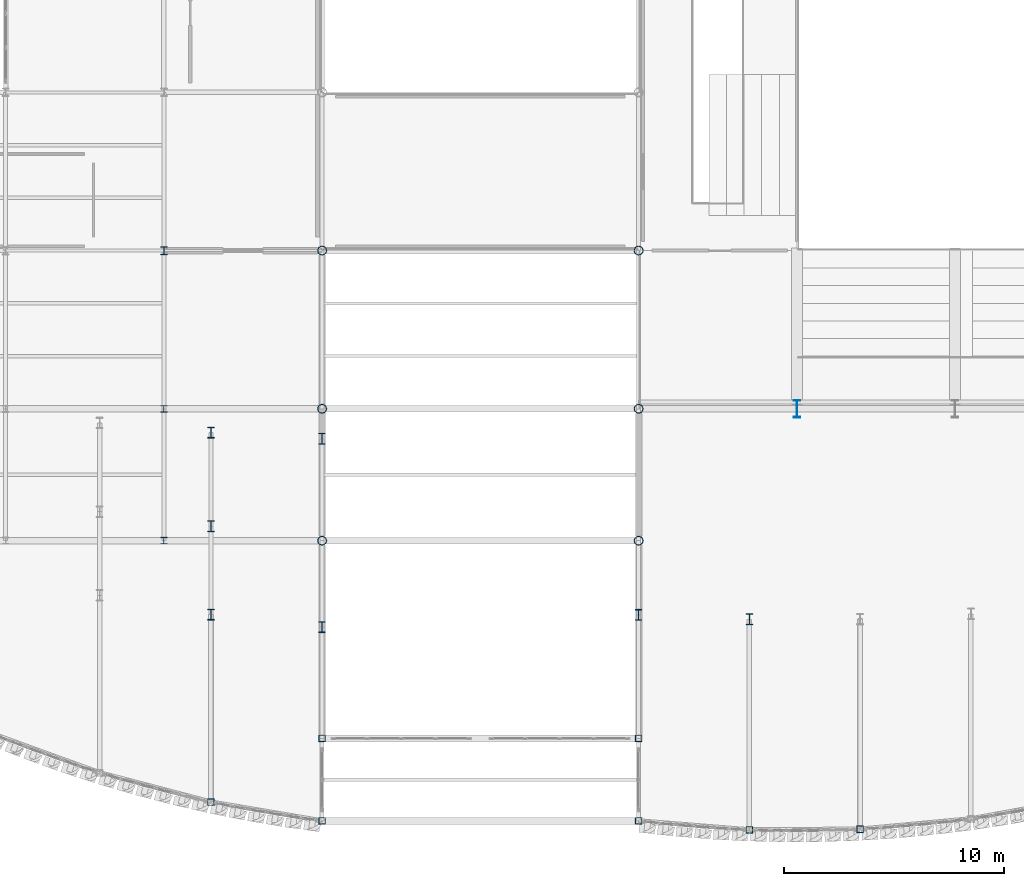
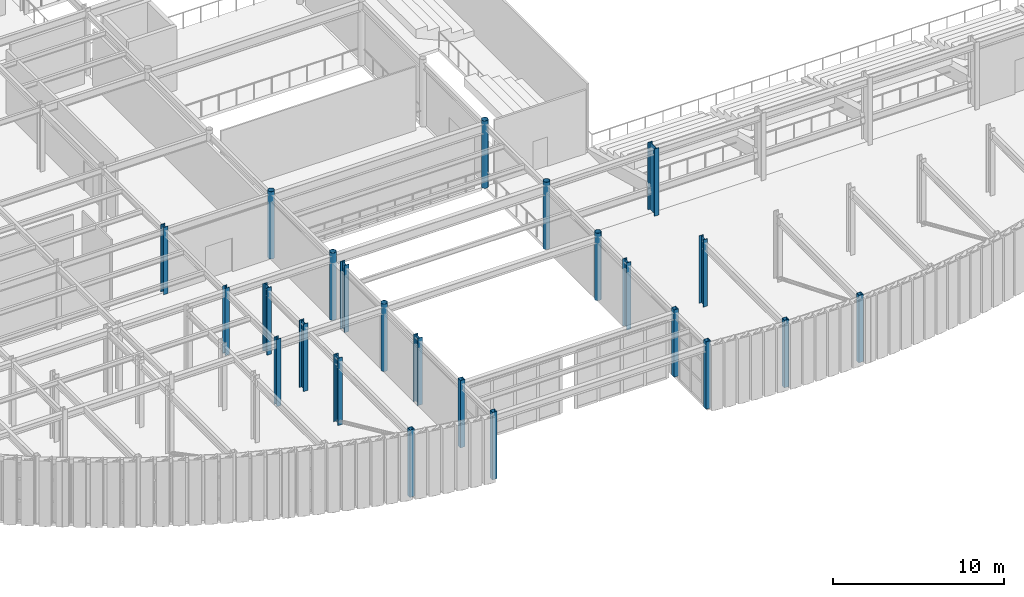
# One storey, part 4 of 121: 24 columns.
"""IFC4 building model written with IfcOpenShell, lengths in metres."""

from ifc_helpers import new_model, si_unit, direction, frame, origin, origin_2d, place, context, subcontext, project, spatial, hollow_rectangle, hollow_circle, i_section, extrude, material, material_profile, profile_set, type_object, element, save


model = new_model("IFC4")

# Units and contexts
model_context = context("Model", 3, precision=1e-05, world=origin(), true_north=direction((0.0, 1.0)))
body_context = subcontext(model_context, "Body", "Model", "MODEL_VIEW")
ifc_project = project(units=[si_unit("LENGTHUNIT", "METRE"), si_unit("AREAUNIT", "SQUARE_METRE"), si_unit("VOLUMEUNIT", "CUBIC_METRE"), si_unit("PLANEANGLEUNIT", "RADIAN"), si_unit("MASSUNIT", "GRAM", prefix="KILO")], contexts=[model_context])

# Site, building, storey
site_placement = place(None, origin())
site = spatial("IfcSite", under=ifc_project, at=site_placement, CompositionType="ELEMENT")
building_placement = place(site_placement, origin())
building = spatial("IfcBuilding", under=site, at=building_placement, Name="Solvadek Multi-Sports Hall", CompositionType="ELEMENT")
storey_placement = place(building_placement, frame((0.0, 0.0, 4.800048828125)))
storey = spatial("IfcBuildingStorey", under=building, at=storey_placement, Name="L01", CompositionType="ELEMENT", Elevation=4.800048828125)

# Columns
ifc_material = material(Name="Steel E350 (350 MPa)", Category="steel")
ifc_material_profile_1 = material_profile(ifc_material, hollow_circle(Radius=0.203125, WallThickness=0.01611328125, at=origin_2d()), Name="CHS 406.4x16")
ifc_profile_set_1 = profile_set([ifc_material_profile_1], Name="Steel E350 (350 MPa)")
column_type_1 = type_object("IfcColumnType", Name="STR-COL-CHS406", PredefinedType="COLUMN", material=ifc_profile_set_1)
for number, where, z_axis, x_axis, name in (
    (1, (72.0, 0.0, 0.0), (0.0, 0.0, 1.0), (1.0, 0.0, 0.0), "L01 Column C-11 #144"),
    (2, (72.0, 6.0, 0.0), (0.0, 0.0, 1.0), (1.0, 0.0, 0.0), "L01 Column C-11 #145"),
    (3, (72.0, 13.199951171875, 0.0), (0.0, 0.0, 1.0), (1.0, 0.0, 0.0), "L01 Column C-11 #146"),
    (4, (86.39990234375, 0.0, 0.0), (0.0, 0.0, 1.0), (1.0, 0.0, 0.0), "L01 Column C-11 #174"),
    (5, (86.39990234375, 6.0, 0.0), (0.0, 0.0, 1.0), (1.0, 0.0, 0.0), "L01 Column C-11 #175"),
    (6, (86.39990234375, 13.199951171875, 0.0), (0.0, 0.0, 1.0), (1.0, 0.0, 0.0), "L01 Column C-11 #176"),
):
    element("IfcColumn", number, at=place(storey_placement, frame(where, z_axis=z_axis, x_axis=x_axis)), inside=storey, type_object=column_type_1, Name=name, PredefinedType="COLUMN", context=body_context, shape_type="SweptSolid", body=[
        extrude(hollow_circle(Radius=0.203125, WallThickness=0.01611328125, at=origin_2d()), origin(), (0.0, 0.0, 1.0), 4.800048828125),
    ])
ifc_material_profile_2 = material_profile(ifc_material, hollow_rectangle(XDim=0.300048828125, YDim=0.300048828125, WallThickness=0.012451171875, at=origin_2d()), Name="SHS 300x300x12.5")
ifc_profile_set_2 = profile_set([ifc_material_profile_2], Name="Steel E350 (350 MPa)")
column_type_2 = type_object("IfcColumnType", Name="STR-COL-SHS300", PredefinedType="COLUMN", material=ifc_profile_set_2)
for number, where, z_axis, x_axis, name in (
    (7, (66.939453125, -11.893798828125, 0.0), (0.0, 0.0, 1.0), (1.0, 0.0, 0.0), "L01 Column C-10 #283"),
    (8, (72.0, -12.7529296875, 0.0), (0.0, 0.0, 1.0), (1.0, 0.0, 0.0), "L01 Column C-10 #287"),
    (9, (86.39990234375, -12.7529296875, 0.0), (0.0, 0.0, 1.0), (1.0, 0.0, 0.0), "L01 Column C-10 #290"),
    (10, (91.43994140625, -13.159912109375, 0.0), (0.0, 0.0, 1.0), (1.0, 0.0, 0.0), "L01 Column C-10 #292"),
    (11, (96.47998046875, -13.128662109375, 0.0), (0.0, 0.0, 1.0), (1.0, 0.0, 0.0), "L01 Column C-10 #294"),
    (12, (72.0, -9.0, 0.0), (0.0, 0.0, 1.0), (1.0, 0.0, 0.0), "L01 Column C-10 #309"),
    (13, (86.39990234375, -9.0, 0.0), (0.0, 0.0, 1.0), (1.0, 0.0, 0.0), "L01 Column C-10 #311"),
):
    element("IfcColumn", number, at=place(storey_placement, frame(where, z_axis=z_axis, x_axis=x_axis)), inside=storey, type_object=column_type_2, Name=name, PredefinedType="COLUMN", context=body_context, shape_type="SweptSolid", body=[
        extrude(hollow_rectangle(XDim=0.300048828125, YDim=0.300048828125, WallThickness=0.012451171875, at=origin_2d()), origin(), (0.0, 0.0, 1.0), 4.800048828125),
    ])
ifc_material_profile_3 = material_profile(ifc_material, i_section(OverallWidth=0.300048828125, OverallDepth=0.300048828125, WebThickness=0.010986328125, FlangeThickness=0.01904296875, at=origin_2d()), Name="WPB 300")
ifc_profile_set_3 = profile_set([ifc_material_profile_3], Name="Steel E350 (350 MPa)")
column_type_3 = type_object("IfcColumnType", Name="STR-COL-WPB300", PredefinedType="COLUMN", material=ifc_profile_set_3)
for number, where, z_axis, x_axis, name in (
    (14, (64.800048828125, 0.0, 0.0), (0.0, 0.0, 1.0), (1.0, 0.0, 0.0), "L01 Column C-09 #129"),
    (15, (64.800048828125, 6.0, 0.0), (0.0, 0.0, 1.0), (1.0, 0.0, 0.0), "L01 Column C-09 #130"),
):
    element("IfcColumn", number, at=place(storey_placement, frame(where, z_axis=z_axis, x_axis=x_axis)), inside=storey, type_object=column_type_3, Name=name, PredefinedType="COLUMN", context=body_context, shape_type="SweptSolid", body=[
        extrude(i_section(OverallWidth=0.300048828125, OverallDepth=0.300048828125, WebThickness=0.010986328125, FlangeThickness=0.01904296875, at=origin_2d()), origin(), (0.0, 0.0, 1.0), 4.800048828125),
    ])
ifc_material_profile_4 = material_profile(ifc_material, i_section(OverallWidth=0.300048828125, OverallDepth=0.360107421875, WebThickness=0.012451171875, FlangeThickness=0.0224609375, at=origin_2d()), Name="WPB 360")
ifc_profile_set_4 = profile_set([ifc_material_profile_4], Name="Steel E350 (350 MPa)")
column_type_4 = type_object("IfcColumnType", Name="STR-COL-WPB360", PredefinedType="COLUMN", material=ifc_profile_set_4)
column_1_placement = place(storey_placement, frame((64.800048828125, 13.199951171875, 0.0), z_axis=(0.0, 0.0, 1.0), x_axis=(1.0, 0.0, 0.0)))
element("IfcColumn", 16, at=column_1_placement, inside=storey, type_object=column_type_4, Name="L01 Column C-08 #131", PredefinedType="COLUMN", context=body_context, shape_type="SweptSolid", body=[
    extrude(i_section(OverallWidth=0.300048828125, OverallDepth=0.360107421875, WebThickness=0.012451171875, FlangeThickness=0.0224609375, at=origin_2d()), origin(), (0.0, 0.0, 1.0), 4.800048828125),
])
ifc_material_profile_5 = material_profile(ifc_material, i_section(OverallWidth=0.300048828125, OverallDepth=0.5, WebThickness=0.014404296875, FlangeThickness=0.028076171875, at=origin_2d()), Name="WPB 500")
ifc_profile_set_5 = profile_set([ifc_material_profile_5], Name="Steel E350 (350 MPa)")
column_type_5 = type_object("IfcColumnType", Name="STR-COL-WPB500", PredefinedType="COLUMN", material=ifc_profile_set_5)
for number, where, z_axis, x_axis, name in (
    (17, (66.939453125, 0.653076171875, 0.0), (0.0, 0.0, 1.0), (1.0, 0.0, 0.0), "L01 Column C-05 #284"),
    (18, (66.939453125, -3.362060546875, 0.0), (0.0, 0.0, 1.0), (1.0, 0.0, 0.0), "L01 Column C-05 #285"),
    (19, (66.939453125, 4.9189453125, 0.0), (0.0, 0.0, 1.0), (1.0, 0.0, 0.0), "L01 Column C-05 #286"),
    (20, (72.0, -3.928955078125, 0.0), (0.0, 0.0, 1.0), (1.0, 0.0, 0.0), "L01 Column C-05 #288"),
    (21, (72.0, 4.635498046875, 0.0), (0.0, 0.0, 1.0), (1.0, 0.0, 0.0), "L01 Column C-05 #289"),
    (22, (86.39990234375, -3.37646484375, 0.0), (0.0, 0.0, 1.0), (1.0, 0.0, 0.0), "L01 Column C-05 #291"),
    (23, (91.43994140625, -3.580078125, 0.0), (0.0, 0.0, 1.0), (1.0, 0.0, 0.0), "L01 Column C-05 #293"),
):
    element("IfcColumn", number, at=place(storey_placement, frame(where, z_axis=z_axis, x_axis=x_axis)), inside=storey, type_object=column_type_5, Name=name, PredefinedType="COLUMN", context=body_context, shape_type="SweptSolid", body=[
        extrude(i_section(OverallWidth=0.300048828125, OverallDepth=0.5, WebThickness=0.014404296875, FlangeThickness=0.028076171875, at=origin_2d()), origin(), (0.0, 0.0, 1.0), 4.800048828125),
    ])
ifc_material_profile_6 = material_profile(ifc_material, i_section(OverallWidth=0.300048828125, OverallDepth=0.800048828125, WebThickness=0.017578125, FlangeThickness=0.032958984375, at=origin_2d()), Name="WPB 800")
ifc_profile_set_6 = profile_set([ifc_material_profile_6], Name="Steel E350 (350 MPa)")
column_type_6 = type_object("IfcColumnType", Name="STR-COL-WPB800", PredefinedType="COLUMN", material=ifc_profile_set_6)
column_2_placement = place(storey_placement, frame((93.60009765625, 6.0, 0.0), z_axis=(0.0, 0.0, 1.0), x_axis=(1.0, 0.0, 0.0)))
element("IfcColumn", 24, at=column_2_placement, inside=storey, type_object=column_type_6, Name="L01 Column C-01 #190", PredefinedType="COLUMN", context=body_context, shape_type="SweptSolid", body=[
    extrude(i_section(OverallWidth=0.300048828125, OverallDepth=0.800048828125, WebThickness=0.017578125, FlangeThickness=0.032958984375, at=origin_2d()), origin(), (0.0, 0.0, 1.0), 4.800048828125),
])

save(model, "model.ifc")
